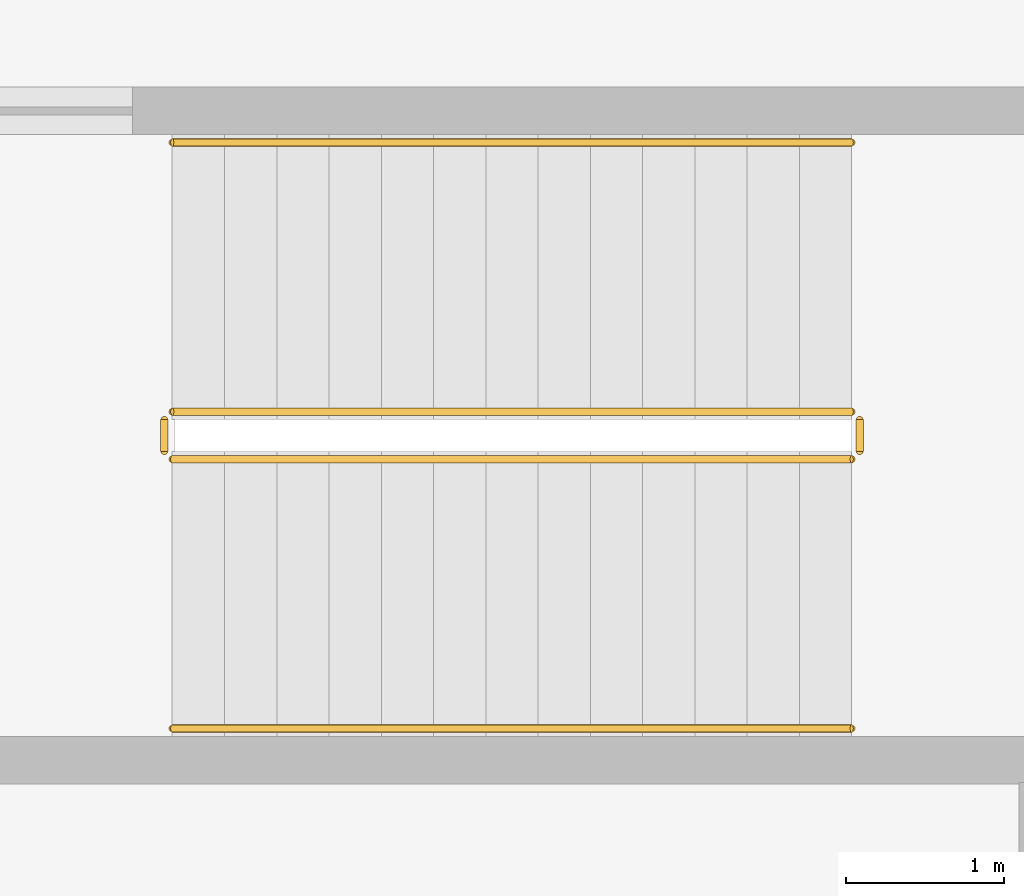
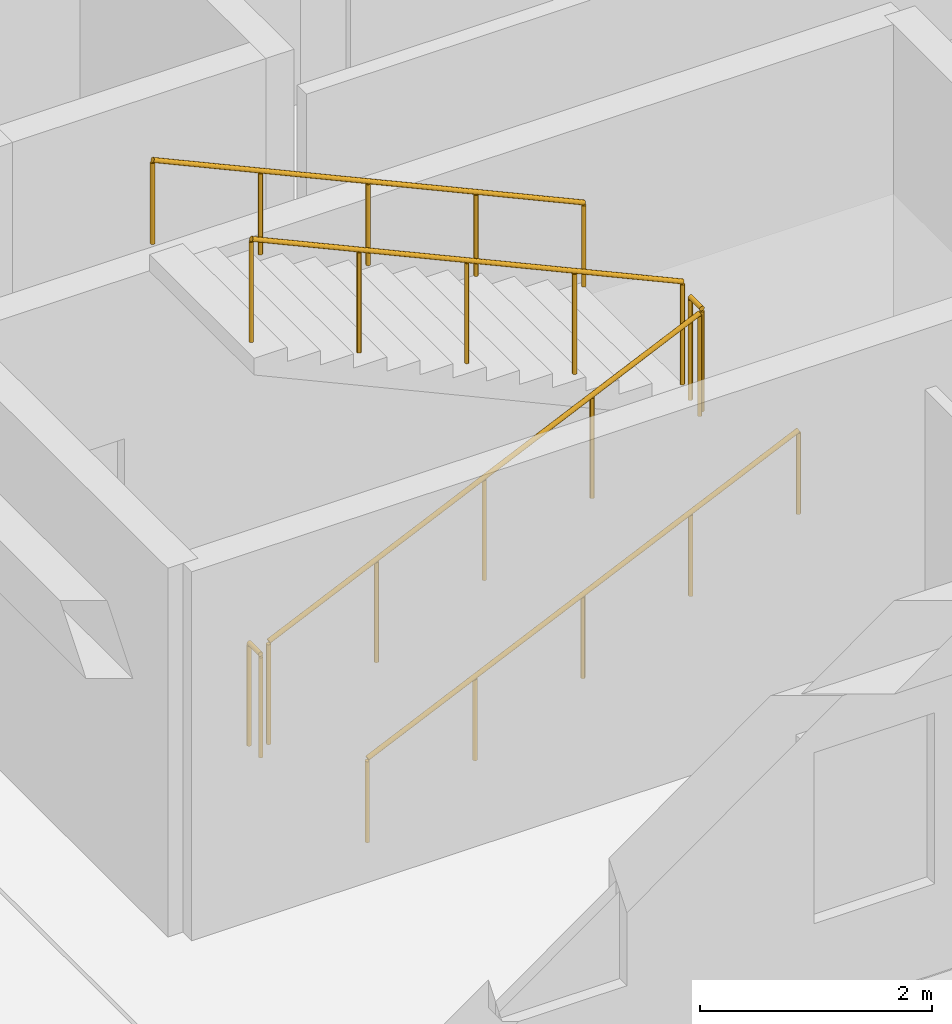
# One storey, part 41 of 41: 6 railings.
"""IFC4 building model written with IfcOpenShell, lengths in metres."""

from ifc_helpers import new_model, si_unit, direction, frame, origin, origin_2d, place, context, subcontext, project, spatial, circle, extrude, material, layer, layer_set, type_object, element, save


model = new_model("IFC4")

# Units and contexts
model_context = context("Model", 3, precision=1e-05, world=origin(), true_north=direction((0.0, 1.0)))
body_context = subcontext(model_context, "Body", "Model", "MODEL_VIEW")
ifc_project = project(units=[si_unit("LENGTHUNIT", "METRE"), si_unit("AREAUNIT", "SQUARE_METRE"), si_unit("VOLUMEUNIT", "CUBIC_METRE"), si_unit("PLANEANGLEUNIT", "RADIAN"), si_unit("MASSUNIT", "GRAM", prefix="KILO")], contexts=[model_context])

# Site, building, storey
site_placement = place(None, origin())
site = spatial("IfcSite", under=ifc_project, at=site_placement, CompositionType="ELEMENT")
building_placement = place(site_placement, origin())
building = spatial("IfcBuilding", under=site, at=building_placement, Name="Malvenik Polytechnic", CompositionType="ELEMENT")
storey_placement = place(building_placement, frame((0.0, 0.0, 17.699951171875)))
storey = spatial("IfcBuildingStorey", under=building, at=storey_placement, Name="L04", CompositionType="ELEMENT", Elevation=17.699951171875)

# Railings
ifc_material_1 = material(Name="Painted galvanised steel stair well balustrade 1100mm", Category="steel")
ifc_layer_1 = layer(ifc_material_1, 0.050048828125)
ifc_layer_set_1 = layer_set([ifc_layer_1], Name="Painted galvanised steel stair well balustrade 1100mm")
railing_type_1 = type_object("IfcRailingType", Name="ARC-RL-STGD", PredefinedType="BALUSTRADE", material=ifc_layer_set_1)
railing_1_placement = place(storey_placement, frame((95.39990234375, 120.89990234375, 0.150146484375)))
element("IfcRailing", 1, at=railing_1_placement, inside=storey, type_object=railing_type_1, Name="L04 ST-03 stair guard 1", PredefinedType="BALUSTRADE", context=body_context, shape_type="SweptSolid", body=[
    extrude(circle(Radius=0.02392578125, at=origin_2d()), frame((0.0, 0.0, 1.076171875), z_axis=(0.910371800137, 0.0, 0.413791234219), x_axis=(0.0, 1.0, 0.0)), (0.0, 0.0, 1.0), 4.71240234375),
    extrude(circle(Radius=0.02099609375, at=origin_2d()), origin(), (0.0, 0.0, 1.0), 1.052001953125),
    extrude(circle(Radius=0.02099609375, at=origin_2d()), frame((1.072509765625, 0.0, 0.487548828125)), (0.0, 0.0, 1.0), 1.052001953125),
    extrude(circle(Radius=0.02099609375, at=origin_2d()), frame((2.14501953125, 0.0, 0.97509765625)), (0.0, 0.0, 1.0), 1.052001953125),
    extrude(circle(Radius=0.02099609375, at=origin_2d()), frame((3.217529296875, 0.0, 1.46240234375)), (0.0, 0.0, 1.0), 1.052001953125),
    extrude(circle(Radius=0.02099609375, at=origin_2d()), frame((4.2900390625, 0.0, 1.949951171875)), (0.0, 0.0, 1.0), 1.052001953125),
])
railing_2_placement = place(storey_placement, frame((99.739990234375, 120.949951171875, 2.10009765625)))
element("IfcRailing", 2, at=railing_2_placement, inside=storey, type_object=railing_type_1, Name="L04 ST-03 stair guard 2", PredefinedType="BALUSTRADE", context=body_context, shape_type="SweptSolid", body=[
    extrude(circle(Radius=0.02392578125, at=origin_2d()), frame((0.0, 0.0, 1.076171875), z_axis=(0.0, 1.0, 0.0), x_axis=(-1.0, 0.0, 0.0)), (0.0, 0.0, 1.0), 0.199951171875),
    extrude(circle(Radius=0.02099609375, at=origin_2d()), origin(), (0.0, 0.0, 1.0), 1.052001953125),
    extrude(circle(Radius=0.02099609375, at=origin_2d()), frame((0.0, 0.199951171875, 0.0)), (0.0, 0.0, 1.0), 1.052001953125),
])
railing_3_placement = place(storey_placement, frame((99.68994140625, 121.199951171875, 2.25)))
element("IfcRailing", 3, at=railing_3_placement, inside=storey, type_object=railing_type_1, Name="L04 ST-03 stair guard 3", PredefinedType="BALUSTRADE", context=body_context, shape_type="SweptSolid", body=[
    extrude(circle(Radius=0.02392578125, at=origin_2d()), frame((0.0, 0.0, 1.076171875), z_axis=(-0.910371800137, 0.0, 0.413791234219), x_axis=(0.0, -1.0, 0.0)), (0.0, 0.0, 1.0), 4.71240234375),
    extrude(circle(Radius=0.02099609375, at=origin_2d()), origin(), (0.0, 0.0, 1.0), 1.052001953125),
    extrude(circle(Radius=0.02099609375, at=origin_2d()), frame((-1.072509765625, 0.0, 0.487548828125)), (0.0, 0.0, 1.0), 1.052001953125),
    extrude(circle(Radius=0.02099609375, at=origin_2d()), frame((-2.14501953125, 0.0, 0.97509765625)), (0.0, 0.0, 1.0), 1.052001953125),
    extrude(circle(Radius=0.02099609375, at=origin_2d()), frame((-3.217529296875, 0.0, 1.46240234375)), (0.0, 0.0, 1.0), 1.052001953125),
    extrude(circle(Radius=0.02099609375, at=origin_2d()), frame((-4.2900390625, 0.0, 1.949951171875)), (0.0, 0.0, 1.0), 1.052001953125),
])
railing_4_placement = place(storey_placement, frame((95.35009765625, 120.949951171875, 0.0)))
element("IfcRailing", 4, at=railing_4_placement, inside=storey, type_object=railing_type_1, Name="L04 ST-03 stair guard 4", PredefinedType="BALUSTRADE", context=body_context, shape_type="SweptSolid", body=[
    extrude(circle(Radius=0.02392578125, at=origin_2d()), frame((0.0, 0.0, 1.076171875), z_axis=(0.0, 1.0, 0.0), x_axis=(-1.0, 0.0, 0.0)), (0.0, 0.0, 1.0), 0.199951171875),
    extrude(circle(Radius=0.02099609375, at=origin_2d()), origin(), (0.0, 0.0, 1.0), 1.052001953125),
    extrude(circle(Radius=0.02099609375, at=origin_2d()), frame((0.0, 0.199951171875, 0.0)), (0.0, 0.0, 1.0), 1.052001953125),
])
ifc_material_2 = material(Name="Brushed stainless steel 1.4301 stair wall handrail", Category="steel")
ifc_layer_2 = layer(ifc_material_2, 0.044921875)
ifc_layer_set_2 = layer_set([ifc_layer_2], Name="Brushed stainless steel 1.4301 stair wall handrail")
railing_type_2 = type_object("IfcRailingType", Name="ARC-RL-STHR", PredefinedType="HANDRAIL", material=ifc_layer_set_2)
railing_5_placement = place(storey_placement, frame((95.39990234375, 119.199951171875, 0.150146484375)))
element("IfcRailing", 5, at=railing_5_placement, inside=storey, type_object=railing_type_2, Name="L04 ST-03 stair handrail 1", PredefinedType="HANDRAIL", context=body_context, shape_type="SweptSolid", body=[
    extrude(circle(Radius=0.02392578125, at=origin_2d()), frame((0.0, 0.0, 0.8759765625), z_axis=(0.910371800137, 0.0, 0.413791234219), x_axis=(0.0, 1.0, 0.0)), (0.0, 0.0, 1.0), 4.71240234375),
    extrude(circle(Radius=0.02099609375, at=origin_2d()), origin(), (0.0, 0.0, 1.0), 0.851806640625),
    extrude(circle(Radius=0.02099609375, at=origin_2d()), frame((1.072509765625, 0.0, 0.487548828125)), (0.0, 0.0, 1.0), 0.851806640625),
    extrude(circle(Radius=0.02099609375, at=origin_2d()), frame((2.14501953125, 0.0, 0.97509765625)), (0.0, 0.0, 1.0), 0.851806640625),
    extrude(circle(Radius=0.02099609375, at=origin_2d()), frame((3.217529296875, 0.0, 1.46240234375)), (0.0, 0.0, 1.0), 0.851806640625),
    extrude(circle(Radius=0.02099609375, at=origin_2d()), frame((4.2900390625, 0.0, 1.949951171875)), (0.0, 0.0, 1.0), 0.851806640625),
])
railing_6_placement = place(storey_placement, frame((99.68994140625, 122.89990234375, 2.25)))
element("IfcRailing", 6, at=railing_6_placement, inside=storey, type_object=railing_type_2, Name="L04 ST-03 stair handrail 2", PredefinedType="HANDRAIL", context=body_context, shape_type="SweptSolid", body=[
    extrude(circle(Radius=0.02392578125, at=origin_2d()), frame((0.0, 0.0, 0.8759765625), z_axis=(-0.910371800137, 0.0, 0.413791234219), x_axis=(0.0, -1.0, 0.0)), (0.0, 0.0, 1.0), 4.71240234375),
    extrude(circle(Radius=0.02099609375, at=origin_2d()), origin(), (0.0, 0.0, 1.0), 0.851806640625),
    extrude(circle(Radius=0.02099609375, at=origin_2d()), frame((-1.072509765625, 0.0, 0.487548828125)), (0.0, 0.0, 1.0), 0.851806640625),
    extrude(circle(Radius=0.02099609375, at=origin_2d()), frame((-2.14501953125, 0.0, 0.97509765625)), (0.0, 0.0, 1.0), 0.851806640625),
    extrude(circle(Radius=0.02099609375, at=origin_2d()), frame((-3.217529296875, 0.0, 1.46240234375)), (0.0, 0.0, 1.0), 0.851806640625),
    extrude(circle(Radius=0.02099609375, at=origin_2d()), frame((-4.2900390625, 0.0, 1.949951171875)), (0.0, 0.0, 1.0), 0.851806640625),
])

save(model, "model.ifc")
